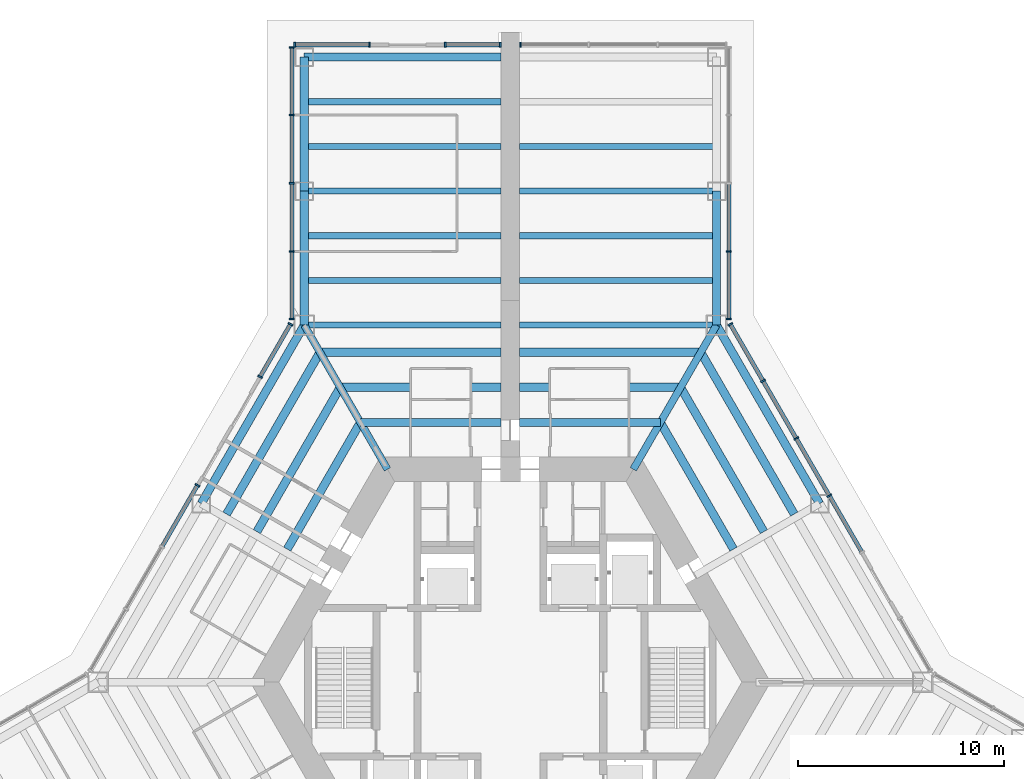
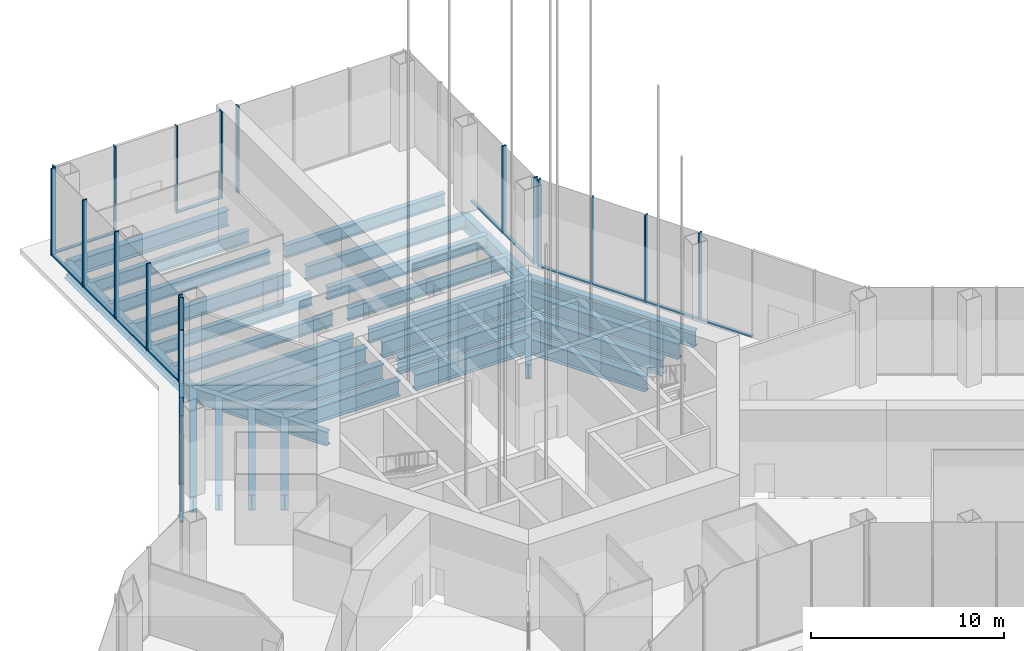
# One storey, part 6 of 18: 33 members, 31 beams, 8 elements without a shape of their own.
"""IFC4 building model written with IfcOpenShell, lengths in metres."""

from ifc_helpers import new_model, si_unit, direction, frame, origin, origin_2d, place, context, subcontext, project, spatial, rectangle, i_section, extrude, material, material_profile, profile_set, type_object, element, aggregate, save


model = new_model("IFC4")

# Units and contexts
model_context = context("Model", 3, precision=1e-05, world=origin(), true_north=direction((0.0, 1.0)))
body_context = subcontext(model_context, "Body", "Model", "MODEL_VIEW")
ifc_project = project(units=[si_unit("LENGTHUNIT", "METRE"), si_unit("AREAUNIT", "SQUARE_METRE"), si_unit("VOLUMEUNIT", "CUBIC_METRE"), si_unit("PLANEANGLEUNIT", "RADIAN"), si_unit("MASSUNIT", "GRAM", prefix="KILO")], contexts=[model_context])

# Site, building, storey
site_placement = place(None, origin())
site = spatial("IfcSite", under=ifc_project, at=site_placement, CompositionType="ELEMENT")
building_placement = place(site_placement, origin())
building = spatial("IfcBuilding", under=site, at=building_placement, Name="Kasaneha Research Tower", CompositionType="ELEMENT")
storey_placement = place(building_placement, origin())
storey = spatial("IfcBuildingStorey", under=building, at=storey_placement, Name="L01", CompositionType="ELEMENT", Elevation=0.0)

# Beams
ifc_material_1 = material(Name="Steel SN490B", Category="steel")
ifc_material_profile_1 = material_profile(ifc_material_1, i_section(OverallWidth=0.39990234375, OverallDepth=1.0, WebThickness=0.01904296875, FlangeThickness=0.035888671875, at=origin_2d()), Name="BH-1000x400x19x36")
ifc_profile_set_1 = profile_set([ifc_material_profile_1], Name="Steel SN490B")
beam_type_1 = type_object("IfcBeamType", Name="B1-0 secondary beam BH-1000x400x19x36", PredefinedType="JOIST", material=ifc_profile_set_1)
beam_1_placement = place(storey_placement, frame((7.274658203125, 12.60009765625, -0.800048828125), z_axis=(0.500000279077, -0.866025242659, 0.0), x_axis=(0.866025242659, 0.500000279077, 0.0)))
element("IfcBeam", 1, at=beam_1_placement, inside=storey, type_object=beam_type_1, Name="Secondary beam RS030R1 L01", PredefinedType="JOIST", context=body_context, shape_type="SweptSolid", body=[
    extrude(i_section(OverallWidth=0.39990234375, OverallDepth=1.0, WebThickness=0.01904296875, FlangeThickness=0.035888671875, at=origin_2d()), origin(), (0.0, 0.0, 1.0), 7.099609375),
])
beam_2_placement = place(storey_placement, frame((8.256103515625, 14.300048828125, -0.800048828125), z_axis=(0.499992685514, -0.866029626764, 0.0), x_axis=(0.866029626764, 0.499992685514, 0.0)))
element("IfcBeam", 2, at=beam_2_placement, inside=storey, type_object=beam_type_1, Name="Secondary beam RS030R2 L01", PredefinedType="JOIST", context=body_context, shape_type="SweptSolid", body=[
    extrude(i_section(OverallWidth=0.39990234375, OverallDepth=1.0, WebThickness=0.01904296875, FlangeThickness=0.035888671875, at=origin_2d()), origin(), (0.0, 0.0, 1.0), 8.0810546875),
])
beam_3_placement = place(storey_placement, frame((9.237548828125, 16.0, -0.800048828125), z_axis=(0.499998401736, -0.866026326541, 0.0), x_axis=(0.866026326541, 0.499998401736, 0.0)))
element("IfcBeam", 3, at=beam_3_placement, inside=storey, type_object=beam_type_1, Name="Secondary beam RS030R3 L01", PredefinedType="JOIST", context=body_context, shape_type="SweptSolid", body=[
    extrude(i_section(OverallWidth=0.39990234375, OverallDepth=1.0, WebThickness=0.01904296875, FlangeThickness=0.035888671875, at=origin_2d()), origin(), (0.0, 0.0, 1.0), 9.0625),
])
beam_4_placement = place(storey_placement, frame((7.274658203125, 12.60009765625, -0.800048828125), z_axis=(-1.0, 0.0, 0.0), x_axis=(0.0, -1.0, 0.0)))
element("IfcBeam", 4, at=beam_4_placement, inside=storey, type_object=beam_type_1, Name="Secondary beam RS090L1 L01", PredefinedType="JOIST", context=body_context, shape_type="SweptSolid", body=[
    extrude(i_section(OverallWidth=0.39990234375, OverallDepth=1.0, WebThickness=0.01904296875, FlangeThickness=0.035888671875, at=origin_2d()), origin(), (0.0, 0.0, 1.0), 6.82470703125),
])
beam_5_placement = place(storey_placement, frame((8.256103515625, 14.300048828125, -0.800048828125), z_axis=(-1.0, 0.0, 0.0), x_axis=(0.0, -1.0, 0.0)))
element("IfcBeam", 5, at=beam_5_placement, inside=storey, type_object=beam_type_1, Name="Secondary beam RS090L2 L01", PredefinedType="JOIST", context=body_context, shape_type="SweptSolid", body=[
    extrude(i_section(OverallWidth=0.39990234375, OverallDepth=1.0, WebThickness=0.01904296875, FlangeThickness=0.035888671875, at=origin_2d()), origin(), (0.0, 0.0, 1.0), 7.80615234375),
])
beam_6_placement = place(storey_placement, frame((9.237548828125, 16.0, -0.800048828125), z_axis=(-1.0, 0.0, 0.0), x_axis=(0.0, -1.0, 0.0)))
element("IfcBeam", 6, at=beam_6_placement, inside=storey, type_object=beam_type_1, Name="Secondary beam RS090L3 L01", PredefinedType="JOIST", context=body_context, shape_type="SweptSolid", body=[
    extrude(i_section(OverallWidth=0.39990234375, OverallDepth=1.0, WebThickness=0.01904296875, FlangeThickness=0.035888671875, at=origin_2d()), origin(), (0.0, 0.0, 1.0), 8.78759765625),
])
beam_7_placement = place(storey_placement, frame((-7.274658203125, 12.60009765625, -0.800048828125), z_axis=(1.0, 0.0, 0.0), x_axis=(0.0, 1.0, 0.0)))
element("IfcBeam", 7, at=beam_7_placement, inside=storey, type_object=beam_type_1, Name="Secondary beam RS090R1 L01", PredefinedType="JOIST", context=body_context, shape_type="SweptSolid", body=[
    extrude(i_section(OverallWidth=0.39990234375, OverallDepth=1.0, WebThickness=0.01904296875, FlangeThickness=0.035888671875, at=origin_2d()), origin(), (0.0, 0.0, 1.0), 6.82470703125),
])
beam_8_placement = place(storey_placement, frame((-8.256103515625, 14.300048828125, -0.800048828125), z_axis=(1.0, 0.0, 0.0), x_axis=(0.0, 1.0, 0.0)))
element("IfcBeam", 8, at=beam_8_placement, inside=storey, type_object=beam_type_1, Name="Secondary beam RS090R2 L01", PredefinedType="JOIST", context=body_context, shape_type="SweptSolid", body=[
    extrude(i_section(OverallWidth=0.39990234375, OverallDepth=1.0, WebThickness=0.01904296875, FlangeThickness=0.035888671875, at=origin_2d()), origin(), (0.0, 0.0, 1.0), 7.80615234375),
])
beam_9_placement = place(storey_placement, frame((-9.237548828125, 16.0, -0.800048828125), z_axis=(1.0, 0.0, 0.0), x_axis=(0.0, 1.0, 0.0)))
element("IfcBeam", 9, at=beam_9_placement, inside=storey, type_object=beam_type_1, Name="Secondary beam RS090R3 L01", PredefinedType="JOIST", context=body_context, shape_type="SweptSolid", body=[
    extrude(i_section(OverallWidth=0.39990234375, OverallDepth=1.0, WebThickness=0.01904296875, FlangeThickness=0.035888671875, at=origin_2d()), origin(), (0.0, 0.0, 1.0), 8.78759765625),
])
beam_10_placement = place(storey_placement, frame((-7.274658203125, 12.60009765625, -0.800048828125), z_axis=(-0.500000279077, -0.866025242659, 0.0), x_axis=(0.866025242659, -0.500000279077, 0.0)))
element("IfcBeam", 10, at=beam_10_placement, inside=storey, type_object=beam_type_1, Name="Secondary beam RS150L1 L01", PredefinedType="JOIST", context=body_context, shape_type="SweptSolid", body=[
    extrude(i_section(OverallWidth=0.39990234375, OverallDepth=1.0, WebThickness=0.01904296875, FlangeThickness=0.035888671875, at=origin_2d()), origin(), (0.0, 0.0, 1.0), 7.099609375),
])
beam_11_placement = place(storey_placement, frame((-8.256103515625, 14.300048828125, -0.800048828125), z_axis=(-0.499992685514, -0.866029626764, 0.0), x_axis=(0.866029626764, -0.499992685514, 0.0)))
element("IfcBeam", 11, at=beam_11_placement, inside=storey, type_object=beam_type_1, Name="Secondary beam RS150L2 L01", PredefinedType="JOIST", context=body_context, shape_type="SweptSolid", body=[
    extrude(i_section(OverallWidth=0.39990234375, OverallDepth=1.0, WebThickness=0.01904296875, FlangeThickness=0.035888671875, at=origin_2d()), origin(), (0.0, 0.0, 1.0), 8.0810546875),
])
beam_12_placement = place(storey_placement, frame((-9.237548828125, 16.0, -0.800048828125), z_axis=(-0.499998401736, -0.866026326541, 0.0), x_axis=(0.866026326541, -0.499998401736, 0.0)))
element("IfcBeam", 12, at=beam_12_placement, inside=storey, type_object=beam_type_1, Name="Secondary beam RS150L3 L01", PredefinedType="JOIST", context=body_context, shape_type="SweptSolid", body=[
    extrude(i_section(OverallWidth=0.39990234375, OverallDepth=1.0, WebThickness=0.01904296875, FlangeThickness=0.035888671875, at=origin_2d()), origin(), (0.0, 0.0, 1.0), 9.0625),
])
ifc_material_2 = material(Name="Steel SN490B", Category="steel")
ifc_material_profile_2 = material_profile(ifc_material_2, i_section(OverallWidth=0.300048828125, OverallDepth=0.800048828125, WebThickness=0.013916015625, FlangeThickness=0.02587890625, FilletRadius=0.01806640625, at=origin_2d()), Name="H-800x300x14x26")
ifc_profile_set_2 = profile_set([ifc_material_profile_2], Name="Steel SN490B")
beam_type_2 = type_object("IfcBeamType", Name="B2-0 secondary beam H-800x300x14x26", PredefinedType="JOIST", material=ifc_profile_set_2)
for number, where, z_axis, x_axis, name in (
    (13, (10.0, 19.487060546875, -0.699951171875), (-1.0, 0.0, 0.0), (0.0, -1.0, 0.0), "Secondary beam WBAP1 L01"),
    (14, (10.0, 21.65380859375, -0.699951171875), (-1.0, 0.0, 0.0), (0.0, -1.0, 0.0), "Secondary beam WBAP2 L01"),
    (15, (10.0, 25.987060546875, -0.699951171875), (-1.0, 0.0, 0.0), (0.0, -1.0, 0.0), "Secondary beam WBAP3 L01"),
    (16, (-10.0, 19.487060546875, -0.699951171875), (1.0, 0.0, 0.0), (0.0, 1.0, 0.0), "Secondary beam WBAN1 L01"),
    (17, (-10.0, 21.65380859375, -0.699951171875), (1.0, 0.0, 0.0), (0.0, 1.0, 0.0), "Secondary beam WBAN2 L01"),
    (18, (-10.0, 25.987060546875, -0.699951171875), (1.0, 0.0, 0.0), (0.0, 1.0, 0.0), "Secondary beam WBAN3 L01"),
    (19, (-10.0, 28.15380859375, -0.699951171875), (1.0, 0.0, 0.0), (0.0, 1.0, 0.0), "Secondary beam WBAN4 L01"),
):
    element("IfcBeam", number, at=place(storey_placement, frame(where, z_axis=z_axis, x_axis=x_axis)), inside=storey, type_object=beam_type_2, Name=name, PredefinedType="JOIST", context=body_context, shape_type="SweptSolid", body=[
        extrude(i_section(OverallWidth=0.300048828125, OverallDepth=0.800048828125, WebThickness=0.013916015625, FlangeThickness=0.02587890625, FilletRadius=0.01806640625, at=origin_2d()), origin(), (0.0, 0.0, 1.0), 9.550048828125),
    ])

# Curtain wall, members
ifc_material_3 = material(Name="Glass and aluminium", Category="aluminium")
curtain_wall_type = type_object("IfcCurtainWallType", Name="Entrance hall curtain wall", PredefinedType="USERDEFINED", material=ifc_material_3)
curtain_wall_1_placement = place(storey_placement, origin())
curtain_wall_1 = element("IfcCurtainWall", 20, at=curtain_wall_1_placement, inside=storey, type_object=curtain_wall_type, Name="CW-H L01 run 07c", ObjectType="UNITISED CURTAIN WALL", PredefinedType="USERDEFINED")
ifc_material_4 = material(Name="Aluminium 6063-T6", Category="aluminium")
ifc_material_profile_3 = material_profile(ifc_material_4, rectangle(XDim=0.080078125, YDim=0.25, at=origin_2d()), Name="CW-H mullion 80x250")
ifc_profile_set_3 = profile_set([ifc_material_profile_3], Name="Aluminium 6063-T6")
member_type_1 = type_object("IfcMemberType", Name="CW-H mullion", PredefinedType="MULLION", material=ifc_profile_set_3)
member_1_placement = place(storey_placement, frame((15.47216796875, 9.042724609375, 0.0), z_axis=(0.0, 0.0, 1.0), x_axis=(-0.49999996188, 0.866025425793, 0.0)))
member_1 = element("IfcMember", 21, at=member_1_placement, type_object=member_type_1, Name="CW-H mullion 2", PredefinedType="MULLION", context=body_context, shape_type="SweptSolid", body=[
    extrude(rectangle(XDim=0.080078125, YDim=0.25, at=origin_2d()), origin(), (0.0, 0.0, 1.0), 5.5),
])
member_2_placement = place(storey_placement, frame((13.86474609375, 11.82666015625, 0.0), z_axis=(0.0, 0.0, 1.0), x_axis=(-0.49999996188, 0.866025425793, 0.0)))
member_2 = element("IfcMember", 22, at=member_2_placement, type_object=member_type_1, Name="CW-H mullion 3", PredefinedType="MULLION", context=body_context, shape_type="SweptSolid", body=[
    extrude(rectangle(XDim=0.080078125, YDim=0.25, at=origin_2d()), origin(), (0.0, 0.0, 1.0), 5.5),
])
member_3_placement = place(storey_placement, frame((12.25732421875, 14.610595703125, 0.0), z_axis=(0.0, 0.0, 1.0), x_axis=(-0.49999996188, 0.866025425793, 0.0)))
member_3 = element("IfcMember", 23, at=member_3_placement, type_object=member_type_1, Name="CW-H mullion 4", PredefinedType="MULLION", context=body_context, shape_type="SweptSolid", body=[
    extrude(rectangle(XDim=0.080078125, YDim=0.25, at=origin_2d()), origin(), (0.0, 0.0, 1.0), 5.5),
])
member_4_placement = place(storey_placement, frame((10.669921875, 17.360107421875, 0.0), z_axis=(0.0, 0.0, 1.0), x_axis=(-0.49999996188, 0.866025425793, 0.0)))
member_4 = element("IfcMember", 24, at=member_4_placement, type_object=member_type_1, Name="CW-H mullion 5", PredefinedType="MULLION", context=body_context, shape_type="SweptSolid", body=[
    extrude(rectangle(XDim=0.080078125, YDim=0.25, at=origin_2d()), origin(), (0.0, 0.0, 1.0), 5.5),
])

curtain_wall_2_placement = place(storey_placement, origin())
curtain_wall_2 = element("IfcCurtainWall", 25, at=curtain_wall_2_placement, inside=storey, type_object=curtain_wall_type, Name="CW-H L01 run 08a", ObjectType="UNITISED CURTAIN WALL", PredefinedType="USERDEFINED")
member_5_placement = place(storey_placement, frame((10.60009765625, 17.621337890625, 0.0), z_axis=(0.0, 0.0, 1.0), x_axis=(0.0, 1.0, 0.0)))
member_5 = element("IfcMember", 26, at=member_5_placement, type_object=member_type_1, Name="CW-H mullion 1", PredefinedType="MULLION", context=body_context, shape_type="SweptSolid", body=[
    extrude(rectangle(XDim=0.080078125, YDim=0.25, at=origin_2d()), origin(), (0.0, 0.0, 1.0), 5.5),
])
member_6_placement = place(storey_placement, frame((10.60009765625, 20.89111328125, 0.0), z_axis=(0.0, 0.0, 1.0), x_axis=(0.0, 1.0, 0.0)))
member_6 = element("IfcMember", 27, at=member_6_placement, type_object=member_type_1, Name="CW-H mullion 2", PredefinedType="MULLION", context=body_context, shape_type="SweptSolid", body=[
    extrude(rectangle(XDim=0.080078125, YDim=0.25, at=origin_2d()), origin(), (0.0, 0.0, 1.0), 5.5),
])

# Curtain wall, member
curtain_wall_3_placement = place(storey_placement, origin())
curtain_wall_3 = element("IfcCurtainWall", 28, at=curtain_wall_3_placement, inside=storey, type_object=curtain_wall_type, Name="CW-H L01 run 09a", ObjectType="UNITISED CURTAIN WALL", PredefinedType="USERDEFINED")
member_7_placement = place(storey_placement, frame((0.489990234375, 30.92041015625, 0.0), z_axis=(0.0, 0.0, 1.0), x_axis=(-1.0, 0.0, 0.0)))
member_7 = element("IfcMember", 29, at=member_7_placement, type_object=member_type_1, Name="CW-H mullion 4", PredefinedType="MULLION", context=body_context, shape_type="SweptSolid", body=[
    extrude(rectangle(XDim=0.080078125, YDim=0.25, at=origin_2d()), origin(), (0.0, 0.0, 1.0), 5.5),
])
aggregate(curtain_wall_3, [member_7])

# Curtain wall, members
curtain_wall_4_placement = place(storey_placement, origin())
curtain_wall_4 = element("IfcCurtainWall", 30, at=curtain_wall_4_placement, inside=storey, type_object=curtain_wall_type, Name="CW-H L01 run 10a", ObjectType="UNITISED CURTAIN WALL", PredefinedType="USERDEFINED")
member_8_placement = place(storey_placement, frame((-0.489990234375, 30.92041015625, 0.0), z_axis=(0.0, 0.0, 1.0), x_axis=(-1.0, 0.0, 0.0)))
member_8 = element("IfcMember", 31, at=member_8_placement, type_object=member_type_1, Name="CW-H mullion 1", PredefinedType="MULLION", context=body_context, shape_type="SweptSolid", body=[
    extrude(rectangle(XDim=0.080078125, YDim=0.25, at=origin_2d()), origin(), (0.0, 0.0, 1.0), 5.5),
])
member_9_placement = place(storey_placement, frame((-3.159912109375, 30.92041015625, 0.0), z_axis=(0.0, 0.0, 1.0), x_axis=(-1.0, 0.0, 0.0)))
member_9 = element("IfcMember", 32, at=member_9_placement, type_object=member_type_1, Name="CW-H mullion 2", PredefinedType="MULLION", context=body_context, shape_type="SweptSolid", body=[
    extrude(rectangle(XDim=0.080078125, YDim=0.25, at=origin_2d()), origin(), (0.0, 0.0, 1.0), 5.5),
])

curtain_wall_5_placement = place(storey_placement, origin())
curtain_wall_5 = element("IfcCurtainWall", 33, at=curtain_wall_5_placement, inside=storey, type_object=curtain_wall_type, Name="CW-H L01 run 10c", ObjectType="UNITISED CURTAIN WALL", PredefinedType="USERDEFINED")
member_10_placement = place(storey_placement, frame((-6.840087890625, 30.92041015625, 0.0), z_axis=(0.0, 0.0, 1.0), x_axis=(-1.0, 0.0, 0.0)))
member_10 = element("IfcMember", 34, at=member_10_placement, type_object=member_type_1, Name="CW-H mullion 1", PredefinedType="MULLION", context=body_context, shape_type="SweptSolid", body=[
    extrude(rectangle(XDim=0.080078125, YDim=0.25, at=origin_2d()), origin(), (0.0, 0.0, 1.0), 5.5),
])
member_11_placement = place(storey_placement, frame((-10.4599609375, 30.92041015625, 0.0), z_axis=(0.0, 0.0, 1.0), x_axis=(-1.0, 0.0, 0.0)))
member_11 = element("IfcMember", 35, at=member_11_placement, type_object=member_type_1, Name="CW-H mullion 2", PredefinedType="MULLION", context=body_context, shape_type="SweptSolid", body=[
    extrude(rectangle(XDim=0.080078125, YDim=0.25, at=origin_2d()), origin(), (0.0, 0.0, 1.0), 5.5),
])

curtain_wall_6_placement = place(storey_placement, origin())
curtain_wall_6 = element("IfcCurtainWall", 36, at=curtain_wall_6_placement, inside=storey, type_object=curtain_wall_type, Name="CW-H L01 run 11a", ObjectType="UNITISED CURTAIN WALL", PredefinedType="USERDEFINED")
member_12_placement = place(storey_placement, frame((-10.60009765625, 30.780517578125, 0.0), z_axis=(0.0, 0.0, 1.0), x_axis=(0.0, -1.0, 0.0)))
member_12 = element("IfcMember", 37, at=member_12_placement, type_object=member_type_1, Name="CW-H mullion 1", PredefinedType="MULLION", context=body_context, shape_type="SweptSolid", body=[
    extrude(rectangle(XDim=0.080078125, YDim=0.25, at=origin_2d()), origin(), (0.0, 0.0, 1.0), 5.5),
])
member_13_placement = place(storey_placement, frame((-10.60009765625, 27.5107421875, 0.0), z_axis=(0.0, 0.0, 1.0), x_axis=(0.0, -1.0, 0.0)))
member_13 = element("IfcMember", 38, at=member_13_placement, type_object=member_type_1, Name="CW-H mullion 2", PredefinedType="MULLION", context=body_context, shape_type="SweptSolid", body=[
    extrude(rectangle(XDim=0.080078125, YDim=0.25, at=origin_2d()), origin(), (0.0, 0.0, 1.0), 5.5),
])
member_14_placement = place(storey_placement, frame((-10.60009765625, 24.200927734375, 0.0), z_axis=(0.0, 0.0, 1.0), x_axis=(0.0, -1.0, 0.0)))
member_14 = element("IfcMember", 39, at=member_14_placement, type_object=member_type_1, Name="CW-H mullion 3", PredefinedType="MULLION", context=body_context, shape_type="SweptSolid", body=[
    extrude(rectangle(XDim=0.080078125, YDim=0.25, at=origin_2d()), origin(), (0.0, 0.0, 1.0), 5.5),
])
member_15_placement = place(storey_placement, frame((-10.60009765625, 20.89111328125, 0.0), z_axis=(0.0, 0.0, 1.0), x_axis=(0.0, -1.0, 0.0)))
member_15 = element("IfcMember", 40, at=member_15_placement, type_object=member_type_1, Name="CW-H mullion 4", PredefinedType="MULLION", context=body_context, shape_type="SweptSolid", body=[
    extrude(rectangle(XDim=0.080078125, YDim=0.25, at=origin_2d()), origin(), (0.0, 0.0, 1.0), 5.5),
])
member_16_placement = place(storey_placement, frame((-10.60009765625, 17.621337890625, 0.0), z_axis=(0.0, 0.0, 1.0), x_axis=(0.0, -1.0, 0.0)))
member_16 = element("IfcMember", 41, at=member_16_placement, type_object=member_type_1, Name="CW-H mullion 5", PredefinedType="MULLION", context=body_context, shape_type="SweptSolid", body=[
    extrude(rectangle(XDim=0.080078125, YDim=0.25, at=origin_2d()), origin(), (0.0, 0.0, 1.0), 5.5),
])

curtain_wall_7_placement = place(storey_placement, origin())
curtain_wall_7 = element("IfcCurtainWall", 42, at=curtain_wall_7_placement, inside=storey, type_object=curtain_wall_type, Name="CW-H L01 run 12a", ObjectType="UNITISED CURTAIN WALL", PredefinedType="USERDEFINED")
member_17_placement = place(storey_placement, frame((-10.669921875, 17.360107421875, 0.0), z_axis=(0.0, 0.0, 1.0), x_axis=(-0.49999996188, -0.866025425793, 0.0)))
member_17 = element("IfcMember", 43, at=member_17_placement, type_object=member_type_1, Name="CW-H mullion 1", PredefinedType="MULLION", context=body_context, shape_type="SweptSolid", body=[
    extrude(rectangle(XDim=0.080078125, YDim=0.25, at=origin_2d()), origin(), (0.0, 0.0, 1.0), 5.5),
])
member_18_placement = place(storey_placement, frame((-12.139892578125, 14.814208984375, 0.0), z_axis=(0.0, 0.0, 1.0), x_axis=(-0.49999996188, -0.866025425793, 0.0)))
member_18 = element("IfcMember", 44, at=member_18_placement, type_object=member_type_1, Name="CW-H mullion 2", PredefinedType="MULLION", context=body_context, shape_type="SweptSolid", body=[
    extrude(rectangle(XDim=0.080078125, YDim=0.25, at=origin_2d()), origin(), (0.0, 0.0, 1.0), 5.5),
])

# Curtain wall, member
curtain_wall_8_placement = place(storey_placement, origin())
curtain_wall_8 = element("IfcCurtainWall", 45, at=curtain_wall_8_placement, inside=storey, type_object=curtain_wall_type, Name="CW-H L01 run 12d", ObjectType="UNITISED CURTAIN WALL", PredefinedType="USERDEFINED")
member_19_placement = place(storey_placement, frame((-15.1796875, 9.549072265625, 0.0), z_axis=(0.0, 0.0, 1.0), x_axis=(-0.49999996188, -0.866025425793, 0.0)))
member_19 = element("IfcMember", 46, at=member_19_placement, type_object=member_type_1, Name="CW-H mullion 1", PredefinedType="MULLION", context=body_context, shape_type="SweptSolid", body=[
    extrude(rectangle(XDim=0.080078125, YDim=0.25, at=origin_2d()), origin(), (0.0, 0.0, 1.0), 5.5),
])

# Member
ifc_material_5 = material(Name="Aluminium 6063-T6", Category="aluminium")
ifc_material_profile_4 = material_profile(ifc_material_5, rectangle(XDim=0.199951171875, YDim=0.080078125, at=origin_2d()), Name="CW-H transom 200x80")
ifc_profile_set_4 = profile_set([ifc_material_profile_4], Name="Aluminium 6063-T6")
member_type_2 = type_object("IfcMemberType", Name="CW-H transom", PredefinedType="USERDEFINED", material=ifc_profile_set_4)
member_20_placement = place(storey_placement, frame((17.039306640625, 6.327880859375, 0.0400390625), z_axis=(-0.499931880753, 0.866064728878, 0.0), x_axis=(-0.866064728878, -0.499931880753, 0.0)))
member_20 = element("IfcMember", 47, at=member_20_placement, type_object=member_type_2, Name="CW-H transom 1", ObjectType="TRANSOM", PredefinedType="USERDEFINED", context=body_context, shape_type="SweptSolid", body=[
    extrude(rectangle(XDim=0.199951171875, YDim=0.080078125, at=origin_2d()), origin(), (0.0, 0.0, 1.0), 3.0947265625),
])

member_21_placement = place(storey_placement, frame((15.4521484375, 9.0771484375, 0.0400390625), z_axis=(-0.499992114976, 0.866029956157, 0.0), x_axis=(-0.866029956157, -0.499992114976, 0.0)))
member_21 = element("IfcMember", 48, at=member_21_placement, type_object=member_type_2, Name="CW-H transom 2", ObjectType="TRANSOM", PredefinedType="USERDEFINED", context=body_context, shape_type="SweptSolid", body=[
    extrude(rectangle(XDim=0.199951171875, YDim=0.080078125, at=origin_2d()), origin(), (0.0, 0.0, 1.0), 3.134765625),
])

member_22_placement = place(storey_placement, frame((13.8447265625, 11.861328125, 0.0400390625), z_axis=(-0.500025839716, 0.866010484704, 0.0), x_axis=(-0.866010484704, -0.500025839716, 0.0)))
member_22 = element("IfcMember", 49, at=member_22_placement, type_object=member_type_2, Name="CW-H transom 3", ObjectType="TRANSOM", PredefinedType="USERDEFINED", context=body_context, shape_type="SweptSolid", body=[
    extrude(rectangle(XDim=0.199951171875, YDim=0.080078125, at=origin_2d()), origin(), (0.0, 0.0, 1.0), 3.134521484375),
])

member_23_placement = place(storey_placement, frame((12.2373046875, 14.645263671875, 0.0400390625), z_axis=(-0.49999105083, 0.866030570529, 0.0), x_axis=(-0.866030570529, -0.49999105083, 0.0)))
member_23 = element("IfcMember", 50, at=member_23_placement, type_object=member_type_2, Name="CW-H transom 4", ObjectType="TRANSOM", PredefinedType="USERDEFINED", context=body_context, shape_type="SweptSolid", body=[
    extrude(rectangle(XDim=0.199951171875, YDim=0.080078125, at=origin_2d()), origin(), (0.0, 0.0, 1.0), 3.0947265625),
])

aggregate(curtain_wall_1, [member_1, member_2, member_3, member_4, member_20, member_21, member_22, member_23])

member_24_placement = place(storey_placement, frame((10.60009765625, 17.661376953125, 0.0400390625), z_axis=(0.0, 1.0, 0.0), x_axis=(-1.0, 0.0, 0.0)))
member_24 = element("IfcMember", 51, at=member_24_placement, type_object=member_type_2, Name="CW-H transom 1", ObjectType="TRANSOM", PredefinedType="USERDEFINED", context=body_context, shape_type="SweptSolid", body=[
    extrude(rectangle(XDim=0.199951171875, YDim=0.080078125, at=origin_2d()), origin(), (0.0, 0.0, 1.0), 3.189697265625),
])

member_25_placement = place(storey_placement, frame((10.60009765625, 20.93115234375, 0.0400390625), z_axis=(0.0, 1.0, 0.0), x_axis=(-1.0, 0.0, 0.0)))
member_25 = element("IfcMember", 52, at=member_25_placement, type_object=member_type_2, Name="CW-H transom 2", ObjectType="TRANSOM", PredefinedType="USERDEFINED", context=body_context, shape_type="SweptSolid", body=[
    extrude(rectangle(XDim=0.199951171875, YDim=0.080078125, at=origin_2d()), origin(), (0.0, 0.0, 1.0), 3.229736328125),
])

aggregate(curtain_wall_2, [member_5, member_6, member_24, member_25])

member_26_placement = place(storey_placement, frame((-0.530029296875, 30.92041015625, 0.0400390625), z_axis=(-1.0, 0.0, 0.0), x_axis=(0.0, -1.0, 0.0)))
member_26 = element("IfcMember", 53, at=member_26_placement, type_object=member_type_2, Name="CW-H transom 1", ObjectType="TRANSOM", PredefinedType="USERDEFINED", context=body_context, shape_type="SweptSolid", body=[
    extrude(rectangle(XDim=0.199951171875, YDim=0.080078125, at=origin_2d()), origin(), (0.0, 0.0, 1.0), 2.590087890625),
])

aggregate(curtain_wall_4, [member_8, member_9, member_26])

member_27_placement = place(storey_placement, frame((-6.8798828125, 30.92041015625, 0.0400390625), z_axis=(-1.0, 0.0, 0.0), x_axis=(0.0, -1.0, 0.0)))
member_27 = element("IfcMember", 54, at=member_27_placement, type_object=member_type_2, Name="CW-H transom 1", ObjectType="TRANSOM", PredefinedType="USERDEFINED", context=body_context, shape_type="SweptSolid", body=[
    extrude(rectangle(XDim=0.199951171875, YDim=0.080078125, at=origin_2d()), origin(), (0.0, 0.0, 1.0), 3.5400390625),
])

aggregate(curtain_wall_5, [member_10, member_11, member_27])

member_28_placement = place(storey_placement, frame((-10.60009765625, 30.740478515625, 0.0400390625), z_axis=(0.0, -1.0, 0.0), x_axis=(1.0, 0.0, 0.0)))
member_28 = element("IfcMember", 55, at=member_28_placement, type_object=member_type_2, Name="CW-H transom 1", ObjectType="TRANSOM", PredefinedType="USERDEFINED", context=body_context, shape_type="SweptSolid", body=[
    extrude(rectangle(XDim=0.199951171875, YDim=0.080078125, at=origin_2d()), origin(), (0.0, 0.0, 1.0), 3.189697265625),
])

member_29_placement = place(storey_placement, frame((-10.60009765625, 27.470703125, 0.0400390625), z_axis=(0.0, -1.0, 0.0), x_axis=(1.0, 0.0, 0.0)))
member_29 = element("IfcMember", 56, at=member_29_placement, type_object=member_type_2, Name="CW-H transom 2", ObjectType="TRANSOM", PredefinedType="USERDEFINED", context=body_context, shape_type="SweptSolid", body=[
    extrude(rectangle(XDim=0.199951171875, YDim=0.080078125, at=origin_2d()), origin(), (0.0, 0.0, 1.0), 3.229736328125),
])

member_30_placement = place(storey_placement, frame((-10.60009765625, 24.160888671875, 0.0400390625), z_axis=(0.0, -1.0, 0.0), x_axis=(1.0, 0.0, 0.0)))
member_30 = element("IfcMember", 57, at=member_30_placement, type_object=member_type_2, Name="CW-H transom 3", ObjectType="TRANSOM", PredefinedType="USERDEFINED", context=body_context, shape_type="SweptSolid", body=[
    extrude(rectangle(XDim=0.199951171875, YDim=0.080078125, at=origin_2d()), origin(), (0.0, 0.0, 1.0), 3.229736328125),
])

member_31_placement = place(storey_placement, frame((-10.60009765625, 20.85107421875, 0.0400390625), z_axis=(0.0, -1.0, 0.0), x_axis=(1.0, 0.0, 0.0)))
member_31 = element("IfcMember", 58, at=member_31_placement, type_object=member_type_2, Name="CW-H transom 4", ObjectType="TRANSOM", PredefinedType="USERDEFINED", context=body_context, shape_type="SweptSolid", body=[
    extrude(rectangle(XDim=0.199951171875, YDim=0.080078125, at=origin_2d()), origin(), (0.0, 0.0, 1.0), 3.189697265625),
])

aggregate(curtain_wall_6, [member_12, member_13, member_14, member_15, member_16, member_28, member_29, member_30, member_31])

member_32_placement = place(storey_placement, frame((-10.68994140625, 17.325439453125, 0.0400390625), z_axis=(-0.500022977831, -0.866012137121, 0.0), x_axis=(0.866012137121, -0.500022977831, 0.0)))
member_32 = element("IfcMember", 59, at=member_32_placement, type_object=member_type_2, Name="CW-H transom 1", ObjectType="TRANSOM", PredefinedType="USERDEFINED", context=body_context, shape_type="SweptSolid", body=[
    extrude(rectangle(XDim=0.199951171875, YDim=0.080078125, at=origin_2d()), origin(), (0.0, 0.0, 1.0), 2.859619140625),
])

aggregate(curtain_wall_7, [member_17, member_18, member_32])

member_33_placement = place(storey_placement, frame((-15.19970703125, 9.514404296875, 0.0400390625), z_axis=(-0.499992408473, -0.86602978671, 0.0), x_axis=(0.86602978671, -0.499992408473, 0.0)))
member_33 = element("IfcMember", 60, at=member_33_placement, type_object=member_type_2, Name="CW-H transom 1", ObjectType="TRANSOM", PredefinedType="USERDEFINED", context=body_context, shape_type="SweptSolid", body=[
    extrude(rectangle(XDim=0.199951171875, YDim=0.080078125, at=origin_2d()), origin(), (0.0, 0.0, 1.0), 3.3662109375),
])

aggregate(curtain_wall_8, [member_19, member_33])

# Beams
ifc_material_6 = material(Name="Steel SN490B", Category="steel")
ifc_material_profile_5 = material_profile(ifc_material_6, i_section(OverallWidth=0.35009765625, OverallDepth=0.89990234375, WebThickness=0.01611328125, FlangeThickness=0.031982421875, at=origin_2d()), Name="BH-900x350x16x32")
ifc_profile_set_5 = profile_set([ifc_material_profile_5], Name="Steel SN490B")
beam_type_3 = type_object("IfcBeamType", Name="G1-0 radial girder BH-900x350x16x32", PredefinedType="BEAM", material=ifc_profile_set_5)
for number, where, z_axis, x_axis, name in (
    (61, (5.961181640625, 10.324951171875, -0.75), (0.49999105496, 0.866030568144, 0.0), (-0.866030568144, 0.49999105496, 0.0), "Radial girder RV060 L01"),
    (62, (-5.961181640625, 10.324951171875, -0.75), (-0.49999105496, 0.866030568144, 0.0), (-0.866030568144, -0.49999105496, 0.0), "Radial girder RV120 L01"),
):
    element("IfcBeam", number, at=place(storey_placement, frame(where, z_axis=z_axis, x_axis=x_axis)), inside=storey, type_object=beam_type_3, Name=name, PredefinedType="BEAM", context=body_context, shape_type="SweptSolid", body=[
        extrude(i_section(OverallWidth=0.35009765625, OverallDepth=0.89990234375, WebThickness=0.01611328125, FlangeThickness=0.031982421875, at=origin_2d()), origin(), (0.0, 0.0, 1.0), 8.077880859375),
    ])
ifc_material_7 = material(Name="Steel SN490B", Category="steel")
ifc_material_profile_6 = material_profile(ifc_material_7, i_section(OverallWidth=0.299072265625, OverallDepth=0.889892578125, WebThickness=0.014892578125, FlangeThickness=0.02294921875, FilletRadius=0.01806640625, at=origin_2d()), Name="H-890x299x15x23")
ifc_profile_set_6 = profile_set([ifc_material_profile_6], Name="Steel SN490B")
beam_type_4 = type_object("IfcBeamType", Name="G3-0 plate edge girder H-890x299x15x23", PredefinedType="BEAM", material=ifc_profile_set_6)
for number, where, z_axis, x_axis, name in (
    (63, (10.0, 17.320556640625, -0.7451171875), (-1.0, 0.0, 0.0), (0.0, -1.0, 0.0), "Plate edge girder PEAP L01"),
    (64, (-10.0, 17.320556640625, -0.7451171875), (1.0, 0.0, 0.0), (0.0, 1.0, 0.0), "Plate edge girder PEAN L01"),
):
    element("IfcBeam", number, at=place(storey_placement, frame(where, z_axis=z_axis, x_axis=x_axis)), inside=storey, type_object=beam_type_4, Name=name, PredefinedType="BEAM", context=body_context, shape_type="SweptSolid", body=[
        extrude(i_section(OverallWidth=0.299072265625, OverallDepth=0.889892578125, WebThickness=0.014892578125, FlangeThickness=0.02294921875, FilletRadius=0.01806640625, at=origin_2d()), origin(), (0.0, 0.0, 1.0), 9.550048828125),
    ])
ifc_material_8 = material(Name="Steel SN490B", Category="steel")
ifc_material_profile_7 = material_profile(ifc_material_8, i_section(OverallWidth=0.300048828125, OverallDepth=0.89990234375, WebThickness=0.01611328125, FlangeThickness=0.028076171875, FilletRadius=0.01806640625, at=origin_2d()), Name="H-900x300x16x28")
ifc_profile_set_7 = profile_set([ifc_material_profile_7], Name="Steel SN490B")
beam_type_5 = type_object("IfcBeamType", Name="G4-0 wing girder H-900x300x16x28", PredefinedType="BEAM", material=ifc_profile_set_7)
for number, where, z_axis, x_axis, name in (
    (65, (10.0, 23.820556640625, -0.75), (-1.0, 0.0, 0.0), (0.0, -1.0, 0.0), "Wing girder WGAP L01"),
    (66, (-10.0, 23.820556640625, -0.75), (1.0, 0.0, 0.0), (0.0, 1.0, 0.0), "Wing girder WGAN L01"),
):
    element("IfcBeam", number, at=place(storey_placement, frame(where, z_axis=z_axis, x_axis=x_axis)), inside=storey, type_object=beam_type_5, Name=name, PredefinedType="BEAM", context=body_context, shape_type="SweptSolid", body=[
        extrude(i_section(OverallWidth=0.300048828125, OverallDepth=0.89990234375, WebThickness=0.01611328125, FlangeThickness=0.028076171875, FilletRadius=0.01806640625, at=origin_2d()), origin(), (0.0, 0.0, 1.0), 9.550048828125),
    ])
ifc_material_9 = material(Name="Steel SN490B", Category="steel")
ifc_material_profile_8 = material_profile(ifc_material_9, i_section(OverallWidth=0.39990234375, OverallDepth=1.0, WebThickness=0.01904296875, FlangeThickness=0.035888671875, at=origin_2d()), Name="BH-1000x400x19x36")
ifc_profile_set_8 = profile_set([ifc_material_profile_8], Name="Steel SN490B")
beam_type_6 = type_object("IfcBeamType", Name="SB1-0 spandrel beam BH-1000x400x19x36", PredefinedType="SPANDREL", material=ifc_profile_set_8)
for number, where, z_axis, x_axis, name in (
    (67, (10.0, 17.320556640625, -0.800048828125), (0.499993662806, -0.866029062534, 0.0), (0.866029062534, 0.499993662806, 0.0), "Spandrel beam SR030R L01"),
    (68, (-10.0, 17.320556640625, -0.800048828125), (-0.499993662806, -0.866029062534, 0.0), (0.866029062534, -0.499993662806, 0.0), "Spandrel beam SR150L L01"),
):
    element("IfcBeam", number, at=place(storey_placement, frame(where, z_axis=z_axis, x_axis=x_axis)), inside=storey, type_object=beam_type_6, Name=name, PredefinedType="SPANDREL", context=body_context, shape_type="SweptSolid", body=[
        extrude(i_section(OverallWidth=0.39990234375, OverallDepth=1.0, WebThickness=0.01904296875, FlangeThickness=0.035888671875, at=origin_2d()), origin(), (0.0, 0.0, 1.0), 10.000244140625),
    ])
ifc_material_10 = material(Name="Steel SN490B", Category="steel")
ifc_material_profile_9 = material_profile(ifc_material_10, i_section(OverallWidth=0.39990234375, OverallDepth=1.0, WebThickness=0.01904296875, FlangeThickness=0.035888671875, at=origin_2d()), Name="BH-1000x400x19x36")
ifc_profile_set_9 = profile_set([ifc_material_profile_9], Name="Steel SN490B")
beam_type_7 = type_object("IfcBeamType", Name="SB2-0 spandrel beam BH-1000x400x19x36", PredefinedType="SPANDREL", material=ifc_profile_set_9)
for number, where, z_axis, x_axis, name in (
    (69, (10.0, 17.320556640625, -0.800048828125), (0.0, 1.0, 0.0), (-1.0, 0.0, 0.0), "Spandrel beam WSAP1 L01"),
    (70, (-10.0, 17.320556640625, -0.800048828125), (0.0, 1.0, 0.0), (-1.0, 0.0, 0.0), "Spandrel beam WSAN1 L01"),
    (71, (-10.0, 23.820556640625, -0.800048828125), (0.0, 1.0, 0.0), (-1.0, 0.0, 0.0), "Spandrel beam WSAN2 L01"),
):
    element("IfcBeam", number, at=place(storey_placement, frame(where, z_axis=z_axis, x_axis=x_axis)), inside=storey, type_object=beam_type_7, Name=name, PredefinedType="SPANDREL", context=body_context, shape_type="SweptSolid", body=[
        extrude(i_section(OverallWidth=0.39990234375, OverallDepth=1.0, WebThickness=0.01904296875, FlangeThickness=0.035888671875, at=origin_2d()), origin(), (0.0, 0.0, 1.0), 6.5),
    ])
ifc_material_11 = material(Name="Steel SN490B", Category="steel")
ifc_material_profile_10 = material_profile(ifc_material_11, i_section(OverallWidth=0.39990234375, OverallDepth=1.0, WebThickness=0.02197265625, FlangeThickness=0.0400390625, at=origin_2d()), Name="BH-1000x400x22x40")
ifc_profile_set_10 = profile_set([ifc_material_profile_10], Name="Steel SN490B")
beam_type_8 = type_object("IfcBeamType", Name="SB3-0 spandrel beam BH-1000x400x22x40", PredefinedType="SPANDREL", material=ifc_profile_set_10)
beam_13_placement = place(storey_placement, frame((-10.0, 30.320556640625, -0.800048828125), z_axis=(1.0, 0.0, 0.0), x_axis=(0.0, 1.0, 0.0)))
element("IfcBeam", 72, at=beam_13_placement, inside=storey, type_object=beam_type_8, Name="Spandrel beam WTAN L01", PredefinedType="SPANDREL", context=body_context, shape_type="SweptSolid", body=[
    extrude(i_section(OverallWidth=0.39990234375, OverallDepth=1.0, WebThickness=0.02197265625, FlangeThickness=0.0400390625, at=origin_2d()), origin(), (0.0, 0.0, 1.0), 9.550048828125),
])

save(model, "model.ifc")
